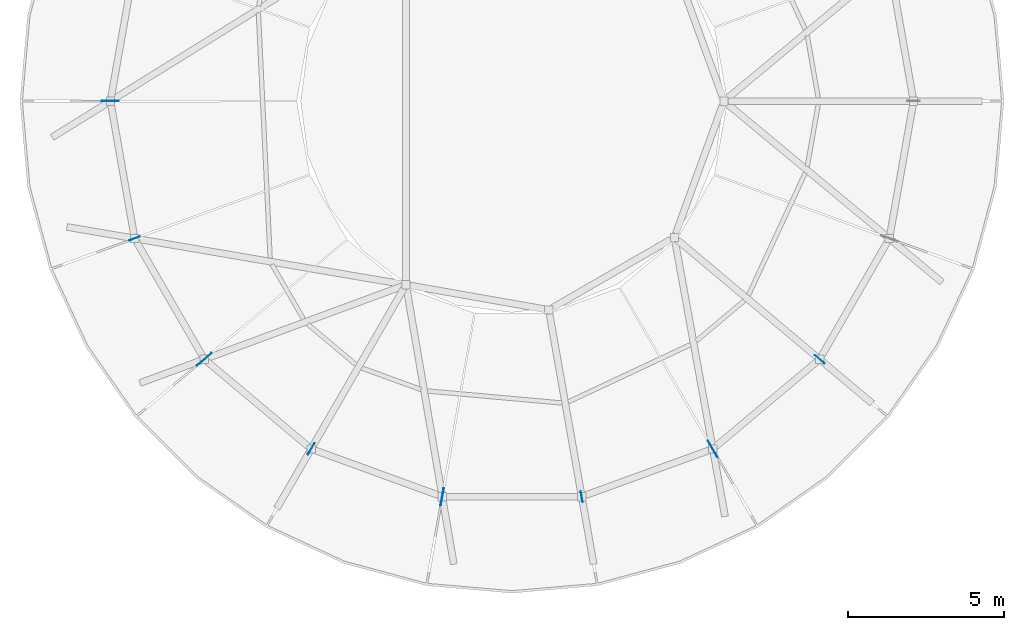
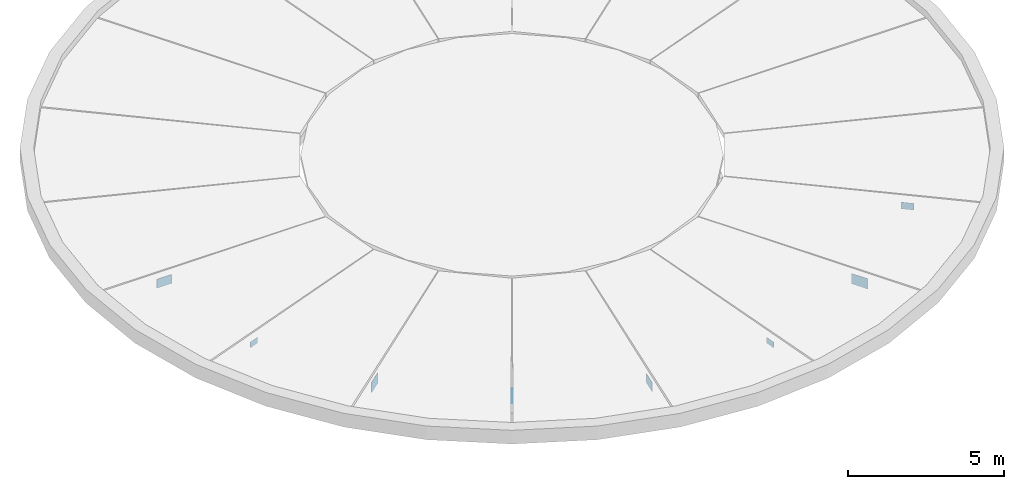
# One storey, part 3 of 6: 8 plates.
"""IFC4 building model written with IfcOpenShell, lengths in metres."""

from ifc_helpers import new_model, si_unit, direction, frame, origin, origin_2d, place, context, subcontext, project, spatial, rectangle, extrude, material, layer, layer_set, type_object, element, save


model = new_model("IFC4")

# Units and contexts
model_context = context("Model", 3, precision=1e-05, world=origin(), true_north=direction((0.0, 1.0)))
body_context = subcontext(model_context, "Body", "Model", "MODEL_VIEW")
ifc_project = project(units=[si_unit("LENGTHUNIT", "METRE"), si_unit("AREAUNIT", "SQUARE_METRE"), si_unit("VOLUMEUNIT", "CUBIC_METRE"), si_unit("PLANEANGLEUNIT", "RADIAN"), si_unit("MASSUNIT", "GRAM", prefix="KILO")], contexts=[model_context])

# Site, building, storey
site_placement = place(None, origin())
site = spatial("IfcSite", under=ifc_project, at=site_placement, CompositionType="ELEMENT")
building_placement = place(site_placement, origin())
building = spatial("IfcBuilding", under=site, at=building_placement, Name="Aldenvaro Health Centre", CompositionType="ELEMENT")
storey_placement = place(building_placement, frame((0.0, 0.0, 25.550048828125)))
storey = spatial("IfcBuildingStorey", under=building, at=storey_placement, Name="RF", CompositionType="ELEMENT", Elevation=25.550048828125)

# Plates
ifc_material = material(Name="Steel ASTM A572 Grade 50", Category="steel")
ifc_layer_1 = layer(ifc_material, 0.013916015625, Name="Steel ASTM A572 Grade 50", Category="steel")
ifc_layer_set_1 = layer_set([ifc_layer_1], Name="Steel ASTM A572 Grade 50")
plate_type_1 = type_object("IfcPlateType", Name="PLT-GUS-07", PredefinedType="SHEET", material=ifc_layer_set_1)
for number, where, z_axis, x_axis, name in (
    (1, (12.06005859375, 88.345947265625, 0.2431640625), (0.0, 0.0, 1.0), (-0.500013689996, -0.866017499717, 0.0), "D4 Rafter Eave Gusset 13"),
    (2, (28.366943359375, 91.220947265625, 0.2431640625), (0.0, 0.0, 1.0), (0.766059584127, -0.642769564905, 0.0), "D4 Rafter Eave Gusset 17"),
):
    element("IfcPlate", number, at=place(storey_placement, frame(where, z_axis=z_axis, x_axis=x_axis)), inside=storey, type_object=plate_type_1, Name=name, PredefinedType="SHEET", context=body_context, shape_type="SweptSolid", body=[
        extrude(rectangle(XDim=0.409912109375, YDim=0.013916015625, at=origin_2d()), origin(), (0.0, 0.0, 1.0), 0.260009765625),
    ])
ifc_layer_2 = layer(ifc_material, 0.01904296875, Name="Steel ASTM A572 Grade 50", Category="steel")
ifc_layer_set_2 = layer_set([ifc_layer_2], Name="Steel ASTM A572 Grade 50")
plate_type_2 = type_object("IfcPlateType", Name="PLT-GUS-08", PredefinedType="SHEET", material=ifc_layer_set_2)
for number, where, z_axis, x_axis, name in (
    (3, (5.6201171875, 99.5, 0.197998046875), (0.0, 0.0, 1.0), (-1.0, 0.0, 0.0), "D4 Rafter Eave Gusset 10"),
    (4, (16.262939453125, 86.81591796875, 0.197998046875), (0.0, 0.0, 1.0), (-0.173683461416, -0.984801530883, 0.0), "D4 Rafter Eave Gusset 14"),
):
    element("IfcPlate", number, at=place(storey_placement, frame(where, z_axis=z_axis, x_axis=x_axis)), inside=storey, type_object=plate_type_2, Name=name, PredefinedType="SHEET", context=body_context, shape_type="SweptSolid", body=[
        extrude(rectangle(XDim=0.550048828125, YDim=0.01904296875, at=origin_2d()), origin(), (0.0, 0.0, 1.0), 0.35009765625),
    ])
ifc_layer_3 = layer(ifc_material, 0.011962890625, Name="Steel ASTM A572 Grade 50", Category="steel")
ifc_layer_set_3 = layer_set([ifc_layer_3], Name="Steel ASTM A572 Grade 50")
plate_type_3 = type_object("IfcPlateType", Name="PLT-GUS-09", PredefinedType="SHEET", material=ifc_layer_set_3)
for number, where, z_axis, x_axis, name in (
    (5, (6.39697265625, 95.094970703125, 0.26318359375), (0.0, 0.0, 1.0), (-0.939695908252, -0.342011110952, 0.0), "D4 Rafter Eave Gusset 11"),
    (6, (20.737060546875, 86.81591796875, 0.26318359375), (0.0, 0.0, 1.0), (0.173683461416, -0.984801530883, 0.0), "D4 Rafter Eave Gusset 15"),
):
    element("IfcPlate", number, at=place(storey_placement, frame(where, z_axis=z_axis, x_axis=x_axis)), inside=storey, type_object=plate_type_3, Name=name, PredefinedType="SHEET", context=body_context, shape_type="SweptSolid", body=[
        extrude(rectangle(XDim=0.35009765625, YDim=0.011962890625, at=origin_2d()), origin(), (0.0, 0.0, 1.0), 0.219970703125),
    ])
ifc_layer_4 = layer(ifc_material, 0.02099609375, Name="Steel ASTM A572 Grade 50", Category="steel")
ifc_layer_set_4 = layer_set([ifc_layer_4], Name="Steel ASTM A572 Grade 50")
plate_type_4 = type_object("IfcPlateType", Name="PLT-GUS-10", PredefinedType="SHEET", material=ifc_layer_set_4)
for number, where, z_axis, x_axis, name in (
    (7, (8.633056640625, 91.220947265625, 0.173095703125), (0.0, 0.0, 1.0), (-0.766059584127, -0.642769564905, 0.0), "D4 Rafter Eave Gusset 12"),
    (8, (24.93994140625, 88.345947265625, 0.173095703125), (0.0, 0.0, 1.0), (0.500013689996, -0.866017499717, 0.0), "D4 Rafter Eave Gusset 16"),
):
    element("IfcPlate", number, at=place(storey_placement, frame(where, z_axis=z_axis, x_axis=x_axis)), inside=storey, type_object=plate_type_4, Name=name, PredefinedType="SHEET", context=body_context, shape_type="SweptSolid", body=[
        extrude(rectangle(XDim=0.610107421875, YDim=0.02099609375, at=origin_2d()), origin(), (0.0, 0.0, 1.0), 0.39990234375),
    ])

save(model, "model.ifc")
